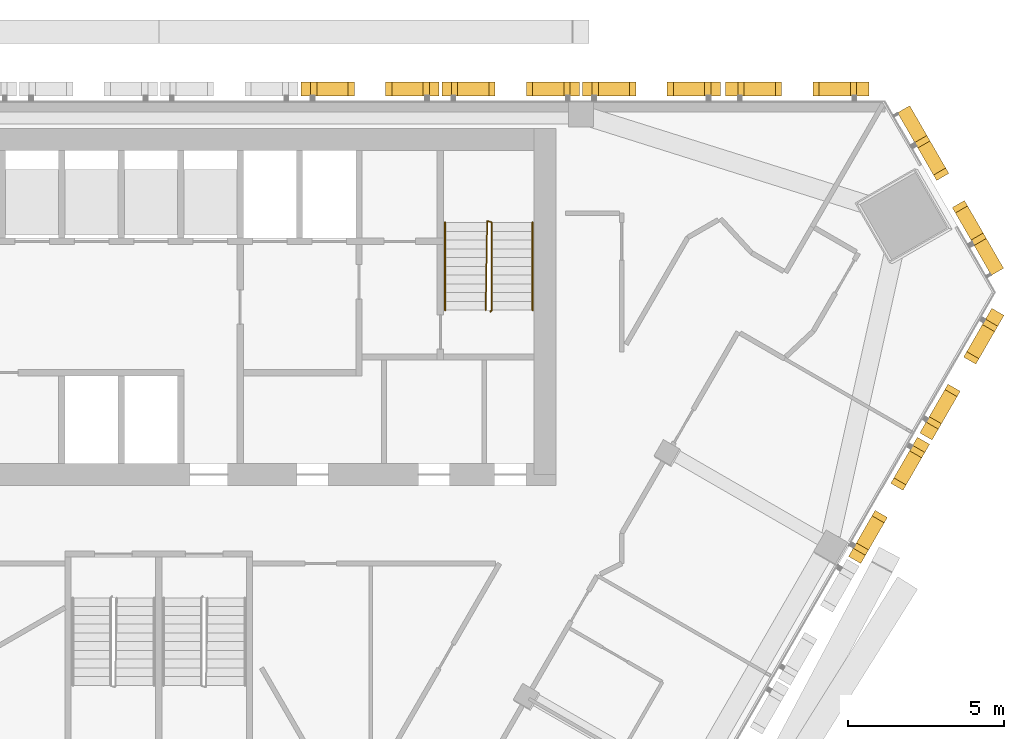
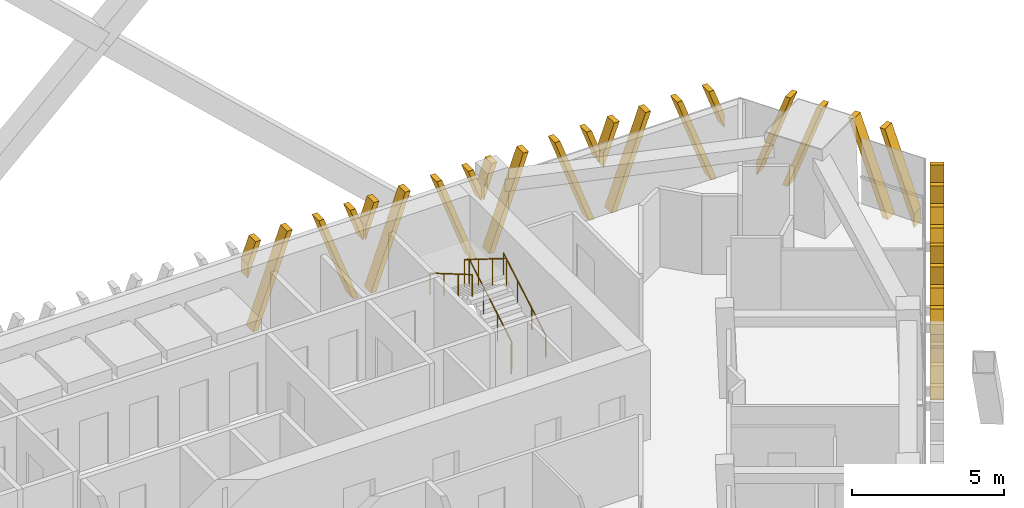
# One storey, part 17 of 18: 7 shading devices, 3 railings.
"""IFC4 building model written with IfcOpenShell, lengths in metres."""

import ifcopenshell
import ifcopenshell.guid

model = None  # the IFC model being written
_history = None  # IfcOwnerHistory: only IFC2X3 demands one
_inside = {}  # id of a spatial element -> (the spatial element, [elements in it])
_under = {}  # id of a project, library or spatial element -> (it, [spatial elements below it])
_declared = {}  # id of a project -> (the project, [libraries it declares])
_typed = {}  # id of a type object -> (the type object, [elements of that type])
_made_of = {}  # id of a material, layer set ... -> (it, [elements and type objects made of it])


def new_model(schema):
    """Start an empty IFC model of exactly this schema.

    Asked for "IFC4X3", IfcOpenShell would pick the latest addendum, in which some entities
    have other attributes; the version numbers below select the first issue.
    IFC2X3 requires an IfcOwnerHistory on every rooted entity: one is made here for all.
    """
    global model, _history
    if schema == "IFC4X3":
        model = ifcopenshell.file(schema_version=(4, 3, 0, 0))
    else:
        model = ifcopenshell.file(schema=schema)
    _inside.clear()
    _under.clear()
    _declared.clear()
    _typed.clear()
    _made_of.clear()
    _history = None
    if model.schema == "IFC2X3":
        org = make("IfcOrganization", Name="unknown")
        user = make(
            "IfcPersonAndOrganization",
            ThePerson=make("IfcPerson", FamilyName="unknown"),
            TheOrganization=org,
        )
        app = make(
            "IfcApplication",
            ApplicationDeveloper=org,
            Version="unknown",
            ApplicationFullName="unknown",
            ApplicationIdentifier="unknown",
        )
        _history = make(
            "IfcOwnerHistory",
            OwningUser=user,
            OwningApplication=app,
            ChangeAction="ADDED",
            CreationDate=0,
        )
    return model


def make(cls, **values):
    """One entity of the class cls with the attributes given. An attribute that is None is left unset."""
    return model.create_entity(
        cls, **{name: value for name, value in values.items() if value is not None}
    )


def rooted(cls, **values):
    """An entity with a GlobalId (a new one), such as an element, a storey or a relation."""
    return make(cls, GlobalId=ifcopenshell.guid.new(), OwnerHistory=_history, **values)


def si_unit(unit_type, name, prefix=None):
    """IfcSIUnit, for example si_unit("LENGTHUNIT", "METRE", prefix="MILLI")."""
    return make("IfcSIUnit", UnitType=unit_type, Prefix=prefix, Name=name)


def assignment(units):
    """IfcUnitAssignment: the units of a project."""
    return None if units is None else make("IfcUnitAssignment", Units=units)


def point(xyz):
    """IfcCartesianPoint."""
    return None if xyz is None else make("IfcCartesianPoint", Coordinates=xyz)


def direction(xyz):
    """IfcDirection."""
    return None if xyz is None else make("IfcDirection", DirectionRatios=xyz)


def frame(location, z_axis=None, x_axis=None):
    """IfcAxis2Placement3D, a coordinate frame: its origin and axes. An axis left out is left unset."""
    return make(
        "IfcAxis2Placement3D",
        Location=point(location),
        Axis=direction(z_axis),
        RefDirection=direction(x_axis),
    )


def frame_2d(location, x_axis=None):
    """IfcAxis2Placement2D, a coordinate frame in the plane: its origin and x axis."""
    return make(
        "IfcAxis2Placement2D", Location=point(location), RefDirection=direction(x_axis)
    )


def origin():
    """The frame at (0, 0, 0) with its axes left unset."""
    return frame((0.0, 0.0, 0.0))


def origin_2d():
    """The frame at (0, 0) in the plane with its x axis left unset."""
    return frame_2d((0.0, 0.0))


def place(relative_to, where):
    """IfcLocalPlacement: puts the frame where relative to a parent placement (None: the world)."""
    return make(
        "IfcLocalPlacement", PlacementRelTo=relative_to, RelativePlacement=where
    )


def context(
    kind, dimensions, precision=None, world=None, true_north=None, identifier=None
):
    """IfcGeometricRepresentationContext, for example the 3D "Model" context."""
    return make(
        "IfcGeometricRepresentationContext",
        ContextIdentifier=identifier,
        ContextType=kind,
        CoordinateSpaceDimension=dimensions,
        Precision=precision,
        WorldCoordinateSystem=world,
        TrueNorth=true_north,
    )


def subcontext(parent, identifier, kind, view, scale=None):
    """IfcGeometricRepresentationSubContext, for example "Body" below "Model"."""
    return make(
        "IfcGeometricRepresentationSubContext",
        ContextIdentifier=identifier,
        ContextType=kind,
        ParentContext=parent,
        TargetScale=scale,
        TargetView=view,
    )


def project(units=None, contexts=None):
    """IfcProject with its units and contexts."""
    return rooted(
        "IfcProject",
        Name="project",
        RepresentationContexts=contexts,
        UnitsInContext=assignment(units),
    )


def spatial(cls, under=None, at=None, **own):
    """A site, building, storey or space (cls), placed at a placement, below another one or the project."""
    s = rooted(cls, ObjectPlacement=at, **own)
    if under is not None:
        _under.setdefault(under.id(), (under, []))[1].append(s)
    return s


def polyline(points):
    """IfcPolyline through the points."""
    return make("IfcPolyline", Points=[point(p) for p in points])


def profile(cls, at=None, kind="AREA", **sizes):
    """A parametric profile (cls). Its sizes go by their IFC names, for example OverallWidth=200.0."""
    return make(cls, ProfileType=kind, Position=at, **sizes)


def circle(**sizes):
    """IfcCircleProfileDef."""
    return profile("IfcCircleProfileDef", **sizes)


def outline(outer, holes=None, kind="AREA"):
    """IfcArbitraryClosedProfileDef: a profile drawn as a closed curve; with holes, ...WithVoids."""
    if holes is None:
        return make("IfcArbitraryClosedProfileDef", ProfileType=kind, OuterCurve=outer)
    return make(
        "IfcArbitraryProfileDefWithVoids",
        ProfileType=kind,
        OuterCurve=outer,
        InnerCurves=holes,
    )


def extrude(swept, where, along, depth):
    """IfcExtrudedAreaSolid: the profile swept, set in the frame where, extruded along a direction by depth."""
    return make(
        "IfcExtrudedAreaSolid",
        SweptArea=swept,
        Position=where,
        ExtrudedDirection=direction(along),
        Depth=depth,
    )


def shape(context_of_items, identifier, shape_type, items):
    """IfcShapeRepresentation: the items that make up one representation, for example the "Body"."""
    return make(
        "IfcShapeRepresentation",
        ContextOfItems=context_of_items,
        RepresentationIdentifier=identifier,
        RepresentationType=shape_type,
        Items=items,
    )


def source(mapping_origin, context_of_items, identifier, shape_type, items):
    """IfcRepresentationMap: a shape defined once, which mapped items show again and again."""
    return make(
        "IfcRepresentationMap",
        MappingOrigin=mapping_origin,
        MappedRepresentation=shape(context_of_items, identifier, shape_type, items),
    )


def transform(
    local_origin,
    x_axis=None,
    y_axis=None,
    z_axis=None,
    scale=None,
    scale2=None,
    scale3=None,
    uniform=True,
):
    """IfcCartesianTransformationOperator3D, or its non-uniform kind. x_axis, y_axis, z_axis: its Axis1, 2, 3."""
    if uniform:
        return make(
            "IfcCartesianTransformationOperator3D",
            Axis1=direction(x_axis),
            Axis2=direction(y_axis),
            LocalOrigin=point(local_origin),
            Scale=scale,
            Axis3=direction(z_axis),
        )
    return make(
        "IfcCartesianTransformationOperator3DnonUniform",
        Axis1=direction(x_axis),
        Axis2=direction(y_axis),
        LocalOrigin=point(local_origin),
        Scale=scale,
        Axis3=direction(z_axis),
        Scale2=scale2,
        Scale3=scale3,
    )


def mapped(mapping_source, mapping_target):
    """IfcMappedItem: shows the shape of a source again, moved by a transform."""
    return make(
        "IfcMappedItem", MappingSource=mapping_source, MappingTarget=mapping_target
    )


def material(Name=None, Category=None):
    """IfcMaterial."""
    return make("IfcMaterial", Name=Name, Category=Category)


def made_of(thing, what):
    """Note that an element or type object is made of a material, layer set ...; save() writes the relation."""
    if what is not None:
        _made_of.setdefault(what.id(), (what, []))[1].append(thing)
    return thing


def type_object(cls, material=None, **own):
    """A type object (cls), such as IfcWallType, which elements share."""
    return made_of(rooted(cls, **own), material)


def element(
    cls,
    number,
    at=None,
    inside=None,
    cuts=None,
    type_object=None,
    material=None,
    context=None,
    identifier="Body",
    shape_type=None,
    held_by="IfcProductDefinitionShape",
    body=None,
    shapes=None,
    **own,
):
    """One element of the class cls, such as IfcWall. Its Tag is "e" and its number.

    at: its placement. inside: the storey or other place that contains it. cuts: it is an
    opening in that element (IfcRelVoidsElement). A single representation is given by context,
    identifier, shape_type and body (its items); several are given by shapes. held_by: the class
    of the entity that holds the representations. save() writes the other relations.
    """
    e = rooted(cls, Tag="e%d" % number, ObjectPlacement=at, **own)
    if body is not None:
        shapes = [shape(context, identifier, shape_type, body)]
    if shapes is not None:
        e.Representation = make(held_by, Representations=shapes)
    if inside is not None:
        _inside.setdefault(inside.id(), (inside, []))[1].append(e)
    if cuts is not None:
        rooted(
            "IfcRelVoidsElement", RelatingBuildingElement=cuts, RelatedOpeningElement=e
        )
    if type_object is not None:
        _typed.setdefault(type_object.id(), (type_object, []))[1].append(e)
    return made_of(e, material)


def aggregate(whole, parts):
    """IfcRelAggregates: a whole, such as a stair, and the parts it consists of."""
    return rooted("IfcRelAggregates", RelatingObject=whole, RelatedObjects=parts)


def save(model, path):
    """Write the relations noted so far, then the file.

    IfcRelAggregates (storeys below a building ...), IfcRelContainedInSpatialStructure (elements
    in a storey), IfcRelDefinesByType, IfcRelAssociatesMaterial and IfcRelDeclares: one each for
    every whole, place, type object, material and project.
    """
    for whole, parts in _under.values():
        aggregate(whole, parts)
    for where, things in _inside.values():
        rooted(
            "IfcRelContainedInSpatialStructure",
            RelatedElements=things,
            RelatingStructure=where,
        )
    for kind, things in _typed.values():
        rooted("IfcRelDefinesByType", RelatedObjects=things, RelatingType=kind)
    for what, things in _made_of.values():
        rooted("IfcRelAssociatesMaterial", RelatedObjects=things, RelatingMaterial=what)
    for by, libraries in _declared.values():
        rooted("IfcRelDeclares", RelatingContext=by, RelatedDefinitions=libraries)
    model.write(path)


model = new_model("IFC4")

# Units and contexts
model_context = context("Model", 3, precision=1e-05, world=origin(), true_north=direction((0.0, 1.0)))
body_context = subcontext(model_context, "Body", "Model", "MODEL_VIEW")
ifc_project = project(units=[si_unit("LENGTHUNIT", "METRE"), si_unit("AREAUNIT", "SQUARE_METRE"), si_unit("VOLUMEUNIT", "CUBIC_METRE"), si_unit("PLANEANGLEUNIT", "RADIAN"), si_unit("MASSUNIT", "GRAM", prefix="KILO")], contexts=[model_context])

# Site, building, storey
site_placement = place(None, origin())
site = spatial("IfcSite", under=ifc_project, at=site_placement, CompositionType="ELEMENT")
building_placement = place(site_placement, origin())
building = spatial("IfcBuilding", under=site, at=building_placement, Name="Altiplano Prism Tower", CompositionType="ELEMENT")
storey_placement = place(building_placement, frame((0.0, 0.0, 163.800048828125)))
storey = spatial("IfcBuildingStorey", under=building, at=storey_placement, Name="L42", CompositionType="ELEMENT", Elevation=163.800048828125)

# Railings
ifc_material_1 = material(Name="Steel S355", Category="steel")
railing_type_1 = type_object("IfcRailingType", Name="Stair guard 1100", PredefinedType="GUARDRAIL", material=ifc_material_1)
railing_1_placement = place(storey_placement, frame((95.60009765625, 98.25, 0.0)))
element("IfcRailing", 1, at=railing_1_placement, inside=storey, type_object=railing_type_1, Name="L42 ST2 stair guard 1", PredefinedType="GUARDRAIL", context=body_context, shape_type="SweptSolid", body=[
    extrude(circle(Radius=0.02392578125, at=origin_2d()), frame((0.0, 0.0, 1.076171875), z_axis=(0.279546231943, 0.280916556609, 0.91811752648), x_axis=(-0.708833529934, 0.705375805398, 0.0)), (0.0, 0.0, 1.0), 0.17822265625),
    extrude(circle(Radius=0.02392578125, at=origin_2d()), frame((0.0498046875, 0.050048828125, 1.23974609375), z_axis=(0.0, 0.863360870873, 0.504586966384), x_axis=(-1.0, 0.0, 0.0)), (0.0, 0.0, 1.0), 3.2431640625),
    extrude(circle(Radius=0.02392578125, at=origin_2d()), frame((0.0498046875, 2.85009765625, 2.8759765625), z_axis=(-0.948991962702, 0.315300261223, 0.0), x_axis=(-0.315300261223, -0.948991962702, 0.0)), (0.0, 0.0, 1.0), 0.157958984375),
    extrude(circle(Radius=0.02392578125, at=origin_2d()), frame((-0.10009765625, 2.89990234375, 2.8759765625), z_axis=(-0.014846992469, -0.845409478506, 0.533912334065), x_axis=(0.999845825584, -0.017559187376, 0.0)), (0.0, 0.0, 1.0), 3.37109375),
    extrude(circle(Radius=0.02099609375, at=origin_2d()), origin(), (0.0, 0.0, 1.0), 1.052001953125),
    extrude(circle(Radius=0.02099609375, at=origin_2d()), frame((0.0498046875, 0.050048828125, 0.16357421875)), (0.0, 0.0, 1.0), 1.052001953125),
    extrude(circle(Radius=0.02099609375, at=origin_2d()), frame((0.0498046875, 0.9833984375, 0.708984375)), (0.0, 0.0, 1.0), 1.052001953125),
    extrude(circle(Radius=0.02099609375, at=origin_2d()), frame((0.0498046875, 1.916748046875, 1.254638671875)), (0.0, 0.0, 1.0), 1.052001953125),
    extrude(circle(Radius=0.02099609375, at=origin_2d()), frame((0.0498046875, 2.85009765625, 1.800048828125)), (0.0, 0.0, 1.0), 1.052001953125),
    extrude(circle(Radius=0.02099609375, at=origin_2d()), frame((-0.10009765625, 2.89990234375, 1.800048828125)), (0.0, 0.0, 1.0), 1.052001953125),
    extrude(circle(Radius=0.02099609375, at=origin_2d()), frame((-0.11669921875, 1.949951171875, 2.39990234375)), (0.0, 0.0, 1.0), 1.052001953125),
    extrude(circle(Radius=0.02099609375, at=origin_2d()), frame((-0.133544921875, 1.0, 3.0)), (0.0, 0.0, 1.0), 1.052001953125),
    extrude(circle(Radius=0.02099609375, at=origin_2d()), frame((-0.150146484375, 0.050048828125, 3.599853515625)), (0.0, 0.0, 1.0), 1.052001953125),
])
railing_type_2 = type_object("IfcRailingType", Name="Stair handrail 900", PredefinedType="HANDRAIL", material=ifc_material_1)
railing_2_placement = place(storey_placement, frame((96.949951171875, 98.300048828125, 0.16357421875)))
element("IfcRailing", 2, at=railing_2_placement, inside=storey, type_object=railing_type_2, Name="L42 ST2 stair handrail 1", PredefinedType="HANDRAIL", context=body_context, shape_type="SweptSolid", body=[
    extrude(circle(Radius=0.02392578125, at=origin_2d()), frame((0.0, 0.0, 0.8759765625), z_axis=(0.0, 0.863360870873, 0.504586966384), x_axis=(-1.0, 0.0, 0.0)), (0.0, 0.0, 1.0), 3.2431640625),
    extrude(circle(Radius=0.02099609375, at=origin_2d()), origin(), (0.0, 0.0, 1.0), 0.851806640625),
    extrude(circle(Radius=0.02099609375, at=origin_2d()), frame((0.0, 0.933349609375, 0.54541015625)), (0.0, 0.0, 1.0), 0.851806640625),
    extrude(circle(Radius=0.02099609375, at=origin_2d()), frame((0.0, 1.86669921875, 1.091064453125)), (0.0, 0.0, 1.0), 0.851806640625),
    extrude(circle(Radius=0.02099609375, at=origin_2d()), frame((0.0, 2.800048828125, 1.636474609375)), (0.0, 0.0, 1.0), 0.851806640625),
])
railing_3_placement = place(storey_placement, frame((94.14990234375, 101.10009765625, 1.963623046875)))
element("IfcRailing", 3, at=railing_3_placement, inside=storey, type_object=railing_type_2, Name="L42 ST2 stair handrail 2", PredefinedType="HANDRAIL", context=body_context, shape_type="SweptSolid", body=[
    extrude(circle(Radius=0.02392578125, at=origin_2d()), frame((0.0, 0.0, 0.8759765625), z_axis=(0.0, -0.863393664356, 0.504530851732), x_axis=(1.0, 0.0, 0.0)), (0.0, 0.0, 1.0), 3.2431640625),
    extrude(circle(Radius=0.02099609375, at=origin_2d()), origin(), (0.0, 0.0, 1.0), 0.851806640625),
    extrude(circle(Radius=0.02099609375, at=origin_2d()), frame((0.0, -0.933349609375, 0.54541015625)), (0.0, 0.0, 1.0), 0.851806640625),
    extrude(circle(Radius=0.02099609375, at=origin_2d()), frame((0.0, -1.86669921875, 1.0908203125)), (0.0, 0.0, 1.0), 0.851806640625),
    extrude(circle(Radius=0.02099609375, at=origin_2d()), frame((0.0, -2.800048828125, 1.63623046875)), (0.0, 0.0, 1.0), 0.851806640625),
])

# Shading devices
ifc_material_2 = material(Name="Warm limestone cast stone", Category="masonry")
shading_device_type_1 = type_object("IfcShadingDeviceType", Name="Stone fin panel, standard unit", PredefinedType="USERDEFINED", material=ifc_material_2)
shared_shape_1 = source(origin(), body_context, "Body", "SweptSolid", [
    extrude(outline(polyline([(-2.199951171875, 2.226318359375), (-1.699951171875, 3.60009765625), (-1.89990234375, 3.60009765625), (-2.199951171875, 2.77587890625), (-2.199951171875, 2.226318359375)])), frame((0.0, -0.14990234375, 0.0), z_axis=(0.0, -1.0, 0.0), x_axis=(1.0, 0.0, 0.0)), (0.0, 0.0, 1.0), 0.4501953125),
    extrude(outline(polyline([(-2.01025390625, 0.0), (-1.810302734375, 0.0), (-0.5, 3.60009765625), (-0.699951171875, 3.60009765625), (-2.01025390625, 0.0)])), frame((0.0, -0.14990234375, 0.0), z_axis=(0.0, -1.0, 0.0), x_axis=(1.0, 0.0, 0.0)), (0.0, 0.0, 1.0), 0.4501953125),
    extrude(outline(polyline([(1.810302734375, 0.0), (2.01025390625, 0.0), (0.699951171875, 3.60009765625), (0.5, 3.60009765625), (1.810302734375, 0.0)])), frame((0.0, -0.14990234375, 0.0), z_axis=(0.0, -1.0, 0.0), x_axis=(1.0, 0.0, 0.0)), (0.0, 0.0, 1.0), 0.4501953125),
    extrude(outline(polyline([(2.199951171875, 2.77587890625), (1.89990234375, 3.60009765625), (1.699951171875, 3.60009765625), (2.199951171875, 2.226318359375), (2.199951171875, 2.77587890625)])), frame((0.0, -0.14990234375, 0.0), z_axis=(0.0, -1.0, 0.0), x_axis=(1.0, 0.0, 0.0)), (0.0, 0.0, 1.0), 0.4501953125),
])
shading_device_1_placement = place(storey_placement, origin())
element("IfcShadingDevice", 4, at=shading_device_1_placement, inside=storey, type_object=shading_device_type_1, Name="Fin L42 north face 2", ObjectType="FIN", PredefinedType="USERDEFINED", context=body_context, shape_type="MappedRepresentation", body=[
    mapped(shared_shape_1, transform((100.75, 105.0, -0.449951171875), x_axis=(-1.0, 0.0, 0.0), y_axis=(0.0, -1.0, 0.0), z_axis=(0.0, 0.0, 1.0))),
])
shading_device_2_placement = place(storey_placement, origin())
element("IfcShadingDevice", 5, at=shading_device_2_placement, inside=storey, type_object=shading_device_type_1, Name="Fin L42 north face 3", ObjectType="FIN", PredefinedType="USERDEFINED", context=body_context, shape_type="MappedRepresentation", body=[
    mapped(shared_shape_1, transform((96.25, 105.0, -0.449951171875), x_axis=(-1.0, 0.0, 0.0), y_axis=(0.0, -1.0, 0.0), z_axis=(0.0, 0.0, 1.0))),
])
shading_device_3_placement = place(storey_placement, origin())
element("IfcShadingDevice", 6, at=shading_device_3_placement, inside=storey, type_object=shading_device_type_1, Name="Fin L42 north face 4", ObjectType="FIN", PredefinedType="USERDEFINED", context=body_context, shape_type="MappedRepresentation", body=[
    mapped(shared_shape_1, transform((91.75, 105.0, -0.449951171875), x_axis=(-1.0, 0.0, 0.0), y_axis=(0.0, -1.0, 0.0), z_axis=(0.0, 0.0, 1.0))),
])
shading_device_4_placement = place(storey_placement, origin())
element("IfcShadingDevice", 7, at=shading_device_4_placement, inside=storey, type_object=shading_device_type_1, Name="Fin L42 south-east face 9", ObjectType="FIN", PredefinedType="USERDEFINED", context=body_context, shape_type="MappedRepresentation", body=[
    mapped(shared_shape_1, transform((108.02197265625, 92.404541015625, -0.449951171875), x_axis=(0.500000004956, 0.866025400923, 0.0), y_axis=(-0.866025400923, 0.500000004956, 0.0), z_axis=(0.0, 0.0, 1.0))),
])
shading_device_type_2 = type_object("IfcShadingDeviceType", Name="Stone fin panel, wide closing bay", PredefinedType="USERDEFINED", material=ifc_material_2)
shared_shape_2 = source(origin(), body_context, "Body", "SweptSolid", [
    extrude(outline(polyline([(-2.300048828125, 1.951416015625), (-1.699951171875, 3.60009765625), (-1.89990234375, 3.60009765625), (-2.300048828125, 2.5009765625), (-2.300048828125, 1.951416015625)])), frame((0.0, -0.14990234375, 0.0), z_axis=(0.0, -1.0, 0.0), x_axis=(1.0, 0.0, 0.0)), (0.0, 0.0, 1.0), 0.4501953125),
    extrude(outline(polyline([(-2.01025390625, 0.0), (-1.810302734375, 0.0), (-0.5, 3.60009765625), (-0.699951171875, 3.60009765625), (-2.01025390625, 0.0)])), frame((0.0, -0.14990234375, 0.0), z_axis=(0.0, -1.0, 0.0), x_axis=(1.0, 0.0, 0.0)), (0.0, 0.0, 1.0), 0.4501953125),
    extrude(outline(polyline([(1.810302734375, 0.0), (2.01025390625, 0.0), (0.699951171875, 3.60009765625), (0.5, 3.60009765625), (1.810302734375, 0.0)])), frame((0.0, -0.14990234375, 0.0), z_axis=(0.0, -1.0, 0.0), x_axis=(1.0, 0.0, 0.0)), (0.0, 0.0, 1.0), 0.4501953125),
    extrude(outline(polyline([(2.300048828125, 2.5009765625), (1.89990234375, 3.60009765625), (1.699951171875, 3.60009765625), (2.300048828125, 1.951416015625), (2.300048828125, 2.5009765625)])), frame((0.0, -0.14990234375, 0.0), z_axis=(0.0, -1.0, 0.0), x_axis=(1.0, 0.0, 0.0)), (0.0, 0.0, 1.0), 0.4501953125),
])
shading_device_5_placement = place(storey_placement, origin())
element("IfcShadingDevice", 8, at=shading_device_5_placement, inside=storey, type_object=shading_device_type_2, Name="Fin L42 north face 1", ObjectType="FIN", PredefinedType="USERDEFINED", context=body_context, shape_type="MappedRepresentation", body=[
    mapped(shared_shape_2, transform((105.409423828125, 105.0, -0.449951171875), x_axis=(-1.0, 0.0, 0.0), y_axis=(0.0, -1.0, 0.0), z_axis=(0.0, 0.0, 1.0))),
])
shading_device_6_placement = place(storey_placement, origin())
element("IfcShadingDevice", 9, at=shading_device_6_placement, inside=storey, type_object=shading_device_type_2, Name="Fin L42 south-east face 10", ObjectType="FIN", PredefinedType="USERDEFINED", context=body_context, shape_type="MappedRepresentation", body=[
    mapped(shared_shape_2, transform((110.3515625, 96.439697265625, -0.449951171875), x_axis=(0.500000004956, 0.866025400923, 0.0), y_axis=(-0.866025400923, 0.500000004956, 0.0), z_axis=(0.0, 0.0, 1.0))),
])
shading_device_type_3 = type_object("IfcShadingDeviceType", Name="Stone fin panel, chamfer unit", PredefinedType="USERDEFINED", material=ifc_material_2)
shared_shape_3 = source(origin(), body_context, "Body", "SweptSolid", [
    extrude(outline(polyline([(-3.0, 0.0283203125), (-1.699951171875, 3.60009765625), (-1.89990234375, 3.60009765625), (-3.0, 0.577880859375), (-3.0, 0.0283203125)])), frame((0.0, -0.14990234375, 0.0), z_axis=(0.0, -1.0, 0.0), x_axis=(1.0, 0.0, 0.0)), (0.0, 0.0, 1.0), 0.4501953125),
    extrude(outline(polyline([(-2.01025390625, 0.0), (-1.810302734375, 0.0), (-0.5, 3.60009765625), (-0.699951171875, 3.60009765625), (-2.01025390625, 0.0)])), frame((0.0, -0.14990234375, 0.0), z_axis=(0.0, -1.0, 0.0), x_axis=(1.0, 0.0, 0.0)), (0.0, 0.0, 1.0), 0.4501953125),
    extrude(outline(polyline([(1.810302734375, 0.0), (2.01025390625, 0.0), (0.699951171875, 3.60009765625), (0.5, 3.60009765625), (1.810302734375, 0.0)])), frame((0.0, -0.14990234375, 0.0), z_axis=(0.0, -1.0, 0.0), x_axis=(1.0, 0.0, 0.0)), (0.0, 0.0, 1.0), 0.4501953125),
    extrude(outline(polyline([(3.0, 0.577880859375), (1.89990234375, 3.60009765625), (1.699951171875, 3.60009765625), (3.0, 0.0283203125), (3.0, 0.577880859375)])), frame((0.0, -0.14990234375, 0.0), z_axis=(0.0, -1.0, 0.0), x_axis=(1.0, 0.0, 0.0)), (0.0, 0.0, 1.0), 0.4501953125),
])
shading_device_7_placement = place(storey_placement, origin())
element("IfcShadingDevice", 10, at=shading_device_7_placement, inside=storey, type_object=shading_device_type_3, Name="Fin L42 north-east chamfer 1", ObjectType="FIN", PredefinedType="USERDEFINED", context=body_context, shape_type="MappedRepresentation", body=[
    mapped(shared_shape_3, transform((109.987548828125, 101.936279296875, -0.449951171875), x_axis=(-0.500000015054, 0.866025395093, 0.0), y_axis=(-0.866025395093, -0.500000015054, 0.0), z_axis=(0.0, 0.0, 1.0))),
])

save(model, "model.ifc")
